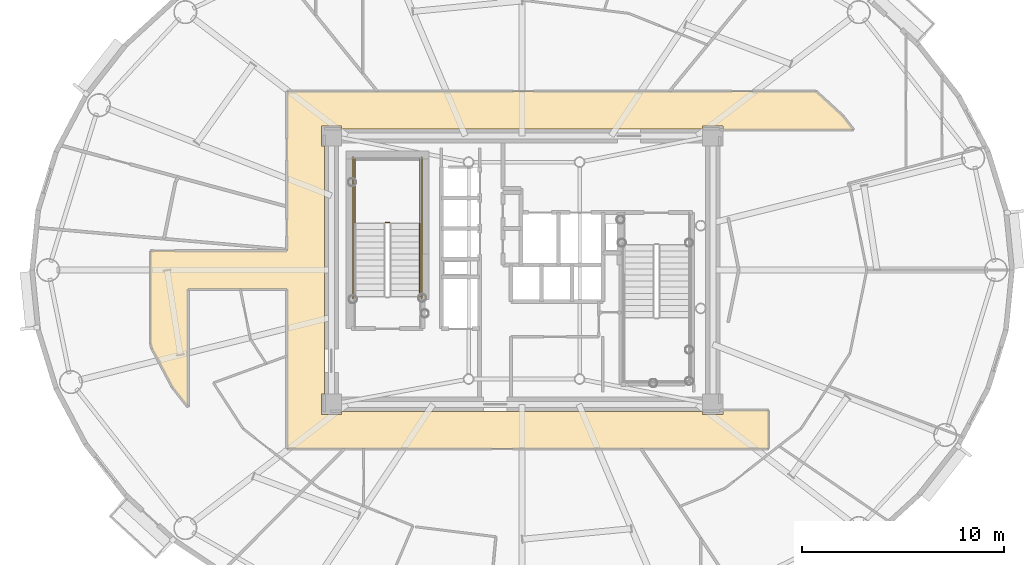
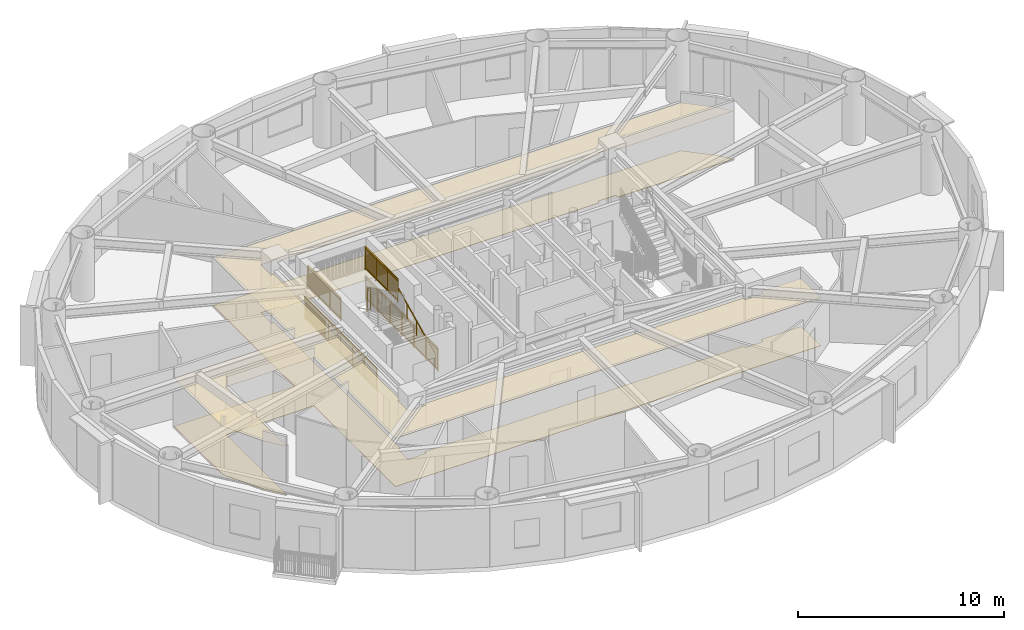
# One storey, part 15 of 19: 6 railings, 2 coverings.
"""IFC4 building model written with IfcOpenShell, lengths in metres."""

from ifc_helpers import new_model, si_unit, direction, frame, origin, origin_2d, place, context, subcontext, project, spatial, polyline, rectangle, outline, extrude, source, transform, mapped, material, layer, layer_set, type_object, element, save


model = new_model("IFC4")

# Units and contexts
model_context = context("Model", 3, precision=1e-05, world=origin(), true_north=direction((0.0, 1.0)))
body_context = subcontext(model_context, "Body", "Model", "MODEL_VIEW")
ifc_project = project(units=[si_unit("LENGTHUNIT", "METRE"), si_unit("AREAUNIT", "SQUARE_METRE"), si_unit("VOLUMEUNIT", "CUBIC_METRE"), si_unit("PLANEANGLEUNIT", "RADIAN"), si_unit("MASSUNIT", "GRAM", prefix="KILO")], contexts=[model_context])

# Site, building, storey
site_placement = place(None, origin())
site = spatial("IfcSite", under=ifc_project, at=site_placement, CompositionType="ELEMENT")
building_placement = place(site_placement, origin())
building = spatial("IfcBuilding", under=site, at=building_placement, Name="Linh Dai School and Residence Tower", CompositionType="ELEMENT")
storey_placement = place(building_placement, frame((0.0, 0.0, 247.800048828125)))
storey = spatial("IfcBuildingStorey", under=building, at=storey_placement, Name="L61", CompositionType="ELEMENT", Elevation=247.800048828125)

# Coverings
ifc_material_1 = material(Name="Mineral Fibre Acoustic Suspended Ceiling", Category="masonry")
ifc_layer_1 = layer(ifc_material_1, 0.02001953125)
ifc_layer_set_1 = layer_set([ifc_layer_1], Name="Mineral Fibre Acoustic Suspended Ceiling")
covering_type_1 = type_object("IfcCoveringType", Name="COV-CEIL-AC-20", PredefinedType="CEILING", material=ifc_layer_set_1)
covering_1_placement = place(storey_placement, frame((0.0, 0.0, 2.849853515625)))
element("IfcCovering", 1, at=covering_1_placement, inside=storey, type_object=covering_type_1, Name="L61 Residential Floor Corridor Suspended Ceiling", PredefinedType="CEILING", context=body_context, shape_type="SweptSolid", body=[
    extrude(outline(polyline([(19.449951171875, 20.211181640625), (18.6806640625, 21.1943359375), (17.66650390625, 23.111083984375), (17.60009765625, 23.327880859375), (17.60009765625, 27.949951171875), (24.35009765625, 27.949951171875), (24.35009765625, 35.85009765625), (50.56787109375, 35.85009765625), (51.873779296875, 34.65283203125), (52.423828125, 33.949951171875), (45.949951171875, 33.949951171875), (45.949951171875, 34.14990234375), (44.949951171875, 34.14990234375), (44.949951171875, 34.0), (27.050048828125, 34.0), (27.050048828125, 34.14990234375), (26.050048828125, 34.14990234375), (26.050048828125, 33.14990234375), (26.199951171875, 33.14990234375), (26.199951171875, 20.85009765625), (26.050048828125, 20.85009765625), (26.050048828125, 19.85009765625), (27.050048828125, 19.85009765625), (27.050048828125, 20.0), (44.949951171875, 20.0), (44.949951171875, 19.85009765625), (45.949951171875, 19.85009765625), (45.949951171875, 20.050048828125), (48.199951171875, 20.050048828125), (48.199951171875, 18.14990234375), (24.35009765625, 18.14990234375), (24.35009765625, 26.050048828125), (19.449951171875, 26.050048828125), (19.449951171875, 20.211181640625)])), origin(), (0.0, 0.0, 1.0), 0.02001953125),
])
ifc_material_2 = material(Name="Polished Terrazzo Floor Finish", Category="masonry")
ifc_layer_2 = layer(ifc_material_2, 0.02490234375)
ifc_layer_set_2 = layer_set([ifc_layer_2], Name="Polished Terrazzo Floor Finish")
covering_type_2 = type_object("IfcCoveringType", Name="COV-FLR-TRZ-25", PredefinedType="FLOORING", material=ifc_layer_set_2)
covering_2_placement = place(storey_placement, origin())
element("IfcCovering", 2, at=covering_2_placement, inside=storey, type_object=covering_type_2, Name="L61 Residential Floor Corridor Floor Finish", PredefinedType="FLOORING", context=body_context, shape_type="SweptSolid", body=[
    extrude(outline(polyline([(19.449951171875, 20.211181640625), (18.6806640625, 21.1943359375), (17.66650390625, 23.111083984375), (17.60009765625, 23.327880859375), (17.60009765625, 27.949951171875), (24.35009765625, 27.949951171875), (24.35009765625, 35.85009765625), (50.56787109375, 35.85009765625), (51.873779296875, 34.65283203125), (52.423828125, 33.949951171875), (45.949951171875, 33.949951171875), (45.949951171875, 34.14990234375), (44.949951171875, 34.14990234375), (44.949951171875, 34.0), (27.050048828125, 34.0), (27.050048828125, 34.14990234375), (26.050048828125, 34.14990234375), (26.050048828125, 33.14990234375), (26.199951171875, 33.14990234375), (26.199951171875, 20.85009765625), (26.050048828125, 20.85009765625), (26.050048828125, 19.85009765625), (27.050048828125, 19.85009765625), (27.050048828125, 20.0), (44.949951171875, 20.0), (44.949951171875, 19.85009765625), (45.949951171875, 19.85009765625), (45.949951171875, 20.050048828125), (48.199951171875, 20.050048828125), (48.199951171875, 18.14990234375), (24.35009765625, 18.14990234375), (24.35009765625, 26.050048828125), (19.449951171875, 26.050048828125), (19.449951171875, 20.211181640625)])), origin(), (0.0, 0.0, 1.0), 0.02001953125),
])

# Railings
ifc_material_3 = material(Name="Structural Steel S355JR", Category="steel")
railing_type_1 = type_object("IfcRailingType", Name="RL-ST-GUARD-1400", PredefinedType="GUARDRAIL", material=ifc_material_3)
shared_shape_1 = source(origin(), body_context, "Body", "SweptSolid", [
    extrude(rectangle(XDim=0.048095703125, YDim=0.048095703125, at=origin_2d()), frame((0.0, 0.0, 1.3759765625), z_axis=(-1.0, 0.0, 0.0), x_axis=(0.0, -1.0, 0.0)), (0.0, 0.0, 1.0), 0.199951171875),
    extrude(rectangle(XDim=0.048095703125, YDim=0.048095703125, at=origin_2d()), frame((0.0, 0.0, 0.10009765625), z_axis=(-1.0, 0.0, 0.0), x_axis=(0.0, -1.0, 0.0)), (0.0, 0.0, 1.0), 0.199951171875),
    extrude(rectangle(XDim=0.030029296875, YDim=0.030029296875, at=origin_2d()), frame((0.0, 0.0, 1.239990234375), z_axis=(-1.0, 0.0, 0.0), x_axis=(0.0, -1.0, 0.0)), (0.0, 0.0, 1.0), 0.199951171875),
    extrude(rectangle(XDim=0.0419921875, YDim=0.0419921875, at=origin_2d()), origin(), (0.0, 0.0, 1.0), 1.3759765625),
    extrude(rectangle(XDim=0.0419921875, YDim=0.0419921875, at=origin_2d()), frame((-0.199951171875, 0.0, 0.0)), (0.0, 0.0, 1.0), 1.3759765625),
])
railing_1_placement = place(storey_placement, frame((29.429931640625, 29.35009765625, 1.875)))
element("IfcRailing", 3, at=railing_1_placement, inside=storey, type_object=railing_type_1, Name="L61 ST1 stair guard 2", PredefinedType="GUARDRAIL", context=body_context, shape_type="MappedRepresentation", body=[
    mapped(shared_shape_1, transform((0.0, 0.0, 0.0), x_axis=(1.0, 0.0, 0.0), y_axis=(0.0, 1.0, 0.0), z_axis=(0.0, 0.0, 1.0), scale=1.0)),
])
shared_shape_2 = source(origin(), body_context, "Body", "SweptSolid", [
    extrude(rectangle(XDim=0.048095703125, YDim=0.048095703125, at=origin_2d()), frame((0.0, 0.0, 1.3759765625), z_axis=(0.0, 1.0, 0.0), x_axis=(-1.0, 0.0, 0.0)), (0.0, 0.0, 1.0), 7.0),
    extrude(rectangle(XDim=0.048095703125, YDim=0.048095703125, at=origin_2d()), frame((0.0, 0.0, 0.10009765625), z_axis=(0.0, 1.0, 0.0), x_axis=(-1.0, 0.0, 0.0)), (0.0, 0.0, 1.0), 7.0),
    extrude(rectangle(XDim=0.030029296875, YDim=0.030029296875, at=origin_2d()), frame((0.0, 0.0, 1.239990234375), z_axis=(0.0, 1.0, 0.0), x_axis=(-1.0, 0.0, 0.0)), (0.0, 0.0, 1.0), 7.0),
    extrude(rectangle(XDim=0.02001953125, YDim=0.02001953125, at=origin_2d()), frame((0.0, 0.09716796875, 0.10009765625)), (0.0, 0.0, 1.0), 1.251708984375),
    extrude(rectangle(XDim=0.02001953125, YDim=0.02001953125, at=origin_2d()), frame((0.0, 0.1943359375, 0.10009765625)), (0.0, 0.0, 1.0), 1.251708984375),
    extrude(rectangle(XDim=0.02001953125, YDim=0.02001953125, at=origin_2d()), frame((0.0, 0.291748046875, 0.10009765625)), (0.0, 0.0, 1.0), 1.251708984375),
    extrude(rectangle(XDim=0.02001953125, YDim=0.02001953125, at=origin_2d()), frame((0.0, 0.388916015625, 0.10009765625)), (0.0, 0.0, 1.0), 1.251708984375),
    extrude(rectangle(XDim=0.02001953125, YDim=0.02001953125, at=origin_2d()), frame((0.0, 0.486083984375, 0.10009765625)), (0.0, 0.0, 1.0), 1.251708984375),
    extrude(rectangle(XDim=0.02001953125, YDim=0.02001953125, at=origin_2d()), frame((0.0, 0.583251953125, 0.10009765625)), (0.0, 0.0, 1.0), 1.251708984375),
    extrude(rectangle(XDim=0.02001953125, YDim=0.02001953125, at=origin_2d()), frame((0.0, 0.6806640625, 0.10009765625)), (0.0, 0.0, 1.0), 1.251708984375),
    extrude(rectangle(XDim=0.02001953125, YDim=0.02001953125, at=origin_2d()), frame((0.0, 0.77783203125, 0.10009765625)), (0.0, 0.0, 1.0), 1.251708984375),
    extrude(rectangle(XDim=0.02001953125, YDim=0.02001953125, at=origin_2d()), frame((0.0, 0.875, 0.10009765625)), (0.0, 0.0, 1.0), 1.251708984375),
    extrude(rectangle(XDim=0.02001953125, YDim=0.02001953125, at=origin_2d()), frame((0.0, 0.97216796875, 0.10009765625)), (0.0, 0.0, 1.0), 1.251708984375),
    extrude(rectangle(XDim=0.02001953125, YDim=0.02001953125, at=origin_2d()), frame((0.0, 1.0693359375, 0.10009765625)), (0.0, 0.0, 1.0), 1.251708984375),
    extrude(rectangle(XDim=0.02001953125, YDim=0.02001953125, at=origin_2d()), frame((0.0, 1.263916015625, 0.10009765625)), (0.0, 0.0, 1.0), 1.251708984375),
    extrude(rectangle(XDim=0.02001953125, YDim=0.02001953125, at=origin_2d()), frame((0.0, 1.361083984375, 0.10009765625)), (0.0, 0.0, 1.0), 1.251708984375),
    extrude(rectangle(XDim=0.02001953125, YDim=0.02001953125, at=origin_2d()), frame((0.0, 1.458251953125, 0.10009765625)), (0.0, 0.0, 1.0), 1.251708984375),
    extrude(rectangle(XDim=0.02001953125, YDim=0.02001953125, at=origin_2d()), frame((0.0, 1.5556640625, 0.10009765625)), (0.0, 0.0, 1.0), 1.251708984375),
    extrude(rectangle(XDim=0.02001953125, YDim=0.02001953125, at=origin_2d()), frame((0.0, 1.65283203125, 0.10009765625)), (0.0, 0.0, 1.0), 1.251708984375),
    extrude(rectangle(XDim=0.02001953125, YDim=0.02001953125, at=origin_2d()), frame((0.0, 1.75, 0.10009765625)), (0.0, 0.0, 1.0), 1.251708984375),
    extrude(rectangle(XDim=0.02001953125, YDim=0.02001953125, at=origin_2d()), frame((0.0, 1.84716796875, 0.10009765625)), (0.0, 0.0, 1.0), 1.251708984375),
    extrude(rectangle(XDim=0.02001953125, YDim=0.02001953125, at=origin_2d()), frame((0.0, 1.9443359375, 0.10009765625)), (0.0, 0.0, 1.0), 1.251708984375),
    extrude(rectangle(XDim=0.02001953125, YDim=0.02001953125, at=origin_2d()), frame((0.0, 2.041748046875, 0.10009765625)), (0.0, 0.0, 1.0), 1.251708984375),
    extrude(rectangle(XDim=0.02001953125, YDim=0.02001953125, at=origin_2d()), frame((0.0, 2.138916015625, 0.10009765625)), (0.0, 0.0, 1.0), 1.251708984375),
    extrude(rectangle(XDim=0.02001953125, YDim=0.02001953125, at=origin_2d()), frame((0.0, 2.236083984375, 0.10009765625)), (0.0, 0.0, 1.0), 1.251708984375),
    extrude(rectangle(XDim=0.02001953125, YDim=0.02001953125, at=origin_2d()), frame((0.0, 2.4306640625, 0.10009765625)), (0.0, 0.0, 1.0), 1.251708984375),
    extrude(rectangle(XDim=0.02001953125, YDim=0.02001953125, at=origin_2d()), frame((0.0, 2.52783203125, 0.10009765625)), (0.0, 0.0, 1.0), 1.251708984375),
    extrude(rectangle(XDim=0.02001953125, YDim=0.02001953125, at=origin_2d()), frame((0.0, 2.625, 0.10009765625)), (0.0, 0.0, 1.0), 1.251708984375),
    extrude(rectangle(XDim=0.02001953125, YDim=0.02001953125, at=origin_2d()), frame((0.0, 2.72216796875, 0.10009765625)), (0.0, 0.0, 1.0), 1.251708984375),
    extrude(rectangle(XDim=0.02001953125, YDim=0.02001953125, at=origin_2d()), frame((0.0, 2.8193359375, 0.10009765625)), (0.0, 0.0, 1.0), 1.251708984375),
    extrude(rectangle(XDim=0.02001953125, YDim=0.02001953125, at=origin_2d()), frame((0.0, 2.916748046875, 0.10009765625)), (0.0, 0.0, 1.0), 1.251708984375),
    extrude(rectangle(XDim=0.02001953125, YDim=0.02001953125, at=origin_2d()), frame((0.0, 3.013916015625, 0.10009765625)), (0.0, 0.0, 1.0), 1.251708984375),
    extrude(rectangle(XDim=0.02001953125, YDim=0.02001953125, at=origin_2d()), frame((0.0, 3.111083984375, 0.10009765625)), (0.0, 0.0, 1.0), 1.251708984375),
    extrude(rectangle(XDim=0.02001953125, YDim=0.02001953125, at=origin_2d()), frame((0.0, 3.208251953125, 0.10009765625)), (0.0, 0.0, 1.0), 1.251708984375),
    extrude(rectangle(XDim=0.02001953125, YDim=0.02001953125, at=origin_2d()), frame((0.0, 3.3056640625, 0.10009765625)), (0.0, 0.0, 1.0), 1.251708984375),
    extrude(rectangle(XDim=0.02001953125, YDim=0.02001953125, at=origin_2d()), frame((0.0, 3.40283203125, 0.10009765625)), (0.0, 0.0, 1.0), 1.251708984375),
    extrude(rectangle(XDim=0.02001953125, YDim=0.02001953125, at=origin_2d()), frame((0.0, 3.59716796875, 0.10009765625)), (0.0, 0.0, 1.0), 1.251708984375),
    extrude(rectangle(XDim=0.02001953125, YDim=0.02001953125, at=origin_2d()), frame((0.0, 3.6943359375, 0.10009765625)), (0.0, 0.0, 1.0), 1.251708984375),
    extrude(rectangle(XDim=0.02001953125, YDim=0.02001953125, at=origin_2d()), frame((0.0, 3.791748046875, 0.10009765625)), (0.0, 0.0, 1.0), 1.251708984375),
    extrude(rectangle(XDim=0.02001953125, YDim=0.02001953125, at=origin_2d()), frame((0.0, 3.888916015625, 0.10009765625)), (0.0, 0.0, 1.0), 1.251708984375),
    extrude(rectangle(XDim=0.02001953125, YDim=0.02001953125, at=origin_2d()), frame((0.0, 3.986083984375, 0.10009765625)), (0.0, 0.0, 1.0), 1.251708984375),
    extrude(rectangle(XDim=0.02001953125, YDim=0.02001953125, at=origin_2d()), frame((0.0, 4.083251953125, 0.10009765625)), (0.0, 0.0, 1.0), 1.251708984375),
    extrude(rectangle(XDim=0.02001953125, YDim=0.02001953125, at=origin_2d()), frame((0.0, 4.1806640625, 0.10009765625)), (0.0, 0.0, 1.0), 1.251708984375),
    extrude(rectangle(XDim=0.02001953125, YDim=0.02001953125, at=origin_2d()), frame((0.0, 4.27783203125, 0.10009765625)), (0.0, 0.0, 1.0), 1.251708984375),
    extrude(rectangle(XDim=0.02001953125, YDim=0.02001953125, at=origin_2d()), frame((0.0, 4.375, 0.10009765625)), (0.0, 0.0, 1.0), 1.251708984375),
    extrude(rectangle(XDim=0.02001953125, YDim=0.02001953125, at=origin_2d()), frame((0.0, 4.47216796875, 0.10009765625)), (0.0, 0.0, 1.0), 1.251708984375),
    extrude(rectangle(XDim=0.02001953125, YDim=0.02001953125, at=origin_2d()), frame((0.0, 4.5693359375, 0.10009765625)), (0.0, 0.0, 1.0), 1.251708984375),
    extrude(rectangle(XDim=0.02001953125, YDim=0.02001953125, at=origin_2d()), frame((0.0, 4.763916015625, 0.10009765625)), (0.0, 0.0, 1.0), 1.251708984375),
    extrude(rectangle(XDim=0.02001953125, YDim=0.02001953125, at=origin_2d()), frame((0.0, 4.861083984375, 0.10009765625)), (0.0, 0.0, 1.0), 1.251708984375),
    extrude(rectangle(XDim=0.02001953125, YDim=0.02001953125, at=origin_2d()), frame((0.0, 4.958251953125, 0.10009765625)), (0.0, 0.0, 1.0), 1.251708984375),
    extrude(rectangle(XDim=0.02001953125, YDim=0.02001953125, at=origin_2d()), frame((0.0, 5.0556640625, 0.10009765625)), (0.0, 0.0, 1.0), 1.251708984375),
    extrude(rectangle(XDim=0.02001953125, YDim=0.02001953125, at=origin_2d()), frame((0.0, 5.15283203125, 0.10009765625)), (0.0, 0.0, 1.0), 1.251708984375),
    extrude(rectangle(XDim=0.02001953125, YDim=0.02001953125, at=origin_2d()), frame((0.0, 5.25, 0.10009765625)), (0.0, 0.0, 1.0), 1.251708984375),
    extrude(rectangle(XDim=0.02001953125, YDim=0.02001953125, at=origin_2d()), frame((0.0, 5.34716796875, 0.10009765625)), (0.0, 0.0, 1.0), 1.251708984375),
    extrude(rectangle(XDim=0.02001953125, YDim=0.02001953125, at=origin_2d()), frame((0.0, 5.4443359375, 0.10009765625)), (0.0, 0.0, 1.0), 1.251708984375),
    extrude(rectangle(XDim=0.02001953125, YDim=0.02001953125, at=origin_2d()), frame((0.0, 5.541748046875, 0.10009765625)), (0.0, 0.0, 1.0), 1.251708984375),
    extrude(rectangle(XDim=0.02001953125, YDim=0.02001953125, at=origin_2d()), frame((0.0, 5.638916015625, 0.10009765625)), (0.0, 0.0, 1.0), 1.251708984375),
    extrude(rectangle(XDim=0.02001953125, YDim=0.02001953125, at=origin_2d()), frame((0.0, 5.736083984375, 0.10009765625)), (0.0, 0.0, 1.0), 1.251708984375),
    extrude(rectangle(XDim=0.02001953125, YDim=0.02001953125, at=origin_2d()), frame((0.0, 5.9306640625, 0.10009765625)), (0.0, 0.0, 1.0), 1.251708984375),
    extrude(rectangle(XDim=0.02001953125, YDim=0.02001953125, at=origin_2d()), frame((0.0, 6.02783203125, 0.10009765625)), (0.0, 0.0, 1.0), 1.251708984375),
    extrude(rectangle(XDim=0.02001953125, YDim=0.02001953125, at=origin_2d()), frame((0.0, 6.125, 0.10009765625)), (0.0, 0.0, 1.0), 1.251708984375),
    extrude(rectangle(XDim=0.02001953125, YDim=0.02001953125, at=origin_2d()), frame((0.0, 6.22216796875, 0.10009765625)), (0.0, 0.0, 1.0), 1.251708984375),
    extrude(rectangle(XDim=0.02001953125, YDim=0.02001953125, at=origin_2d()), frame((0.0, 6.3193359375, 0.10009765625)), (0.0, 0.0, 1.0), 1.251708984375),
    extrude(rectangle(XDim=0.02001953125, YDim=0.02001953125, at=origin_2d()), frame((0.0, 6.416748046875, 0.10009765625)), (0.0, 0.0, 1.0), 1.251708984375),
    extrude(rectangle(XDim=0.02001953125, YDim=0.02001953125, at=origin_2d()), frame((0.0, 6.513916015625, 0.10009765625)), (0.0, 0.0, 1.0), 1.251708984375),
    extrude(rectangle(XDim=0.02001953125, YDim=0.02001953125, at=origin_2d()), frame((0.0, 6.611083984375, 0.10009765625)), (0.0, 0.0, 1.0), 1.251708984375),
    extrude(rectangle(XDim=0.02001953125, YDim=0.02001953125, at=origin_2d()), frame((0.0, 6.708251953125, 0.10009765625)), (0.0, 0.0, 1.0), 1.251708984375),
    extrude(rectangle(XDim=0.02001953125, YDim=0.02001953125, at=origin_2d()), frame((0.0, 6.8056640625, 0.10009765625)), (0.0, 0.0, 1.0), 1.251708984375),
    extrude(rectangle(XDim=0.02001953125, YDim=0.02001953125, at=origin_2d()), frame((0.0, 6.90283203125, 0.10009765625)), (0.0, 0.0, 1.0), 1.251708984375),
    extrude(rectangle(XDim=0.0419921875, YDim=0.0419921875, at=origin_2d()), origin(), (0.0, 0.0, 1.0), 1.3759765625),
    extrude(rectangle(XDim=0.0419921875, YDim=0.0419921875, at=origin_2d()), frame((0.0, 1.166748046875, 0.0)), (0.0, 0.0, 1.0), 1.3759765625),
    extrude(rectangle(XDim=0.0419921875, YDim=0.0419921875, at=origin_2d()), frame((0.0, 2.333251953125, 0.0)), (0.0, 0.0, 1.0), 1.3759765625),
    extrude(rectangle(XDim=0.0419921875, YDim=0.0419921875, at=origin_2d()), frame((0.0, 3.5, 0.0)), (0.0, 0.0, 1.0), 1.3759765625),
    extrude(rectangle(XDim=0.0419921875, YDim=0.0419921875, at=origin_2d()), frame((0.0, 4.666748046875, 0.0)), (0.0, 0.0, 1.0), 1.3759765625),
    extrude(rectangle(XDim=0.0419921875, YDim=0.0419921875, at=origin_2d()), frame((0.0, 5.833251953125, 0.0)), (0.0, 0.0, 1.0), 1.3759765625),
    extrude(rectangle(XDim=0.0419921875, YDim=0.0419921875, at=origin_2d()), frame((0.0, 7.0, 0.0)), (0.0, 0.0, 1.0), 1.3759765625),
])
for number, where, name in (
    (4, (31.030029296875, 25.60009765625, 0.0), "L61 ST1 stair guard 10"),
    (5, (27.6298828125, 25.60009765625, 0.0), "L61 ST1 stair guard 11"),
):
    element("IfcRailing", number, at=place(storey_placement, frame(where)), inside=storey, type_object=railing_type_1, Name=name, PredefinedType="GUARDRAIL", context=body_context, shape_type="MappedRepresentation", body=[
        mapped(shared_shape_2, transform((0.0, 0.0, 0.0), x_axis=(1.0, 0.0, 0.0), y_axis=(0.0, 1.0, 0.0), z_axis=(0.0, 0.0, 1.0), scale=1.0)),
    ])
shared_shape_3 = source(origin(), body_context, "Body", "SweptSolid", [
    extrude(rectangle(XDim=0.048095703125, YDim=0.048095703125, at=origin_2d()), frame((0.0, 0.0, 1.3759765625), z_axis=(0.0, 1.0, 0.0), x_axis=(-1.0, 0.0, 0.0)), (0.0, 0.0, 1.0), 3.199951171875),
    extrude(rectangle(XDim=0.048095703125, YDim=0.048095703125, at=origin_2d()), frame((0.0, 0.0, 0.10009765625), z_axis=(0.0, 1.0, 0.0), x_axis=(-1.0, 0.0, 0.0)), (0.0, 0.0, 1.0), 3.199951171875),
    extrude(rectangle(XDim=0.030029296875, YDim=0.030029296875, at=origin_2d()), frame((0.0, 0.0, 1.239990234375), z_axis=(0.0, 1.0, 0.0), x_axis=(-1.0, 0.0, 0.0)), (0.0, 0.0, 1.0), 3.199951171875),
    extrude(rectangle(XDim=0.02001953125, YDim=0.02001953125, at=origin_2d()), frame((0.0, 0.096923828125, 0.10009765625)), (0.0, 0.0, 1.0), 1.251708984375),
    extrude(rectangle(XDim=0.02001953125, YDim=0.02001953125, at=origin_2d()), frame((0.0, 0.19384765625, 0.10009765625)), (0.0, 0.0, 1.0), 1.251708984375),
    extrude(rectangle(XDim=0.02001953125, YDim=0.02001953125, at=origin_2d()), frame((0.0, 0.291015625, 0.10009765625)), (0.0, 0.0, 1.0), 1.251708984375),
    extrude(rectangle(XDim=0.02001953125, YDim=0.02001953125, at=origin_2d()), frame((0.0, 0.387939453125, 0.10009765625)), (0.0, 0.0, 1.0), 1.251708984375),
    extrude(rectangle(XDim=0.02001953125, YDim=0.02001953125, at=origin_2d()), frame((0.0, 0.48486328125, 0.10009765625)), (0.0, 0.0, 1.0), 1.251708984375),
    extrude(rectangle(XDim=0.02001953125, YDim=0.02001953125, at=origin_2d()), frame((0.0, 0.581787109375, 0.10009765625)), (0.0, 0.0, 1.0), 1.251708984375),
    extrude(rectangle(XDim=0.02001953125, YDim=0.02001953125, at=origin_2d()), frame((0.0, 0.6787109375, 0.10009765625)), (0.0, 0.0, 1.0), 1.251708984375),
    extrude(rectangle(XDim=0.02001953125, YDim=0.02001953125, at=origin_2d()), frame((0.0, 0.775634765625, 0.10009765625)), (0.0, 0.0, 1.0), 1.251708984375),
    extrude(rectangle(XDim=0.02001953125, YDim=0.02001953125, at=origin_2d()), frame((0.0, 0.872802734375, 0.10009765625)), (0.0, 0.0, 1.0), 1.251708984375),
    extrude(rectangle(XDim=0.02001953125, YDim=0.02001953125, at=origin_2d()), frame((0.0, 0.9697265625, 0.10009765625)), (0.0, 0.0, 1.0), 1.251708984375),
    extrude(rectangle(XDim=0.02001953125, YDim=0.02001953125, at=origin_2d()), frame((0.0, 1.16357421875, 0.10009765625)), (0.0, 0.0, 1.0), 1.251708984375),
    extrude(rectangle(XDim=0.02001953125, YDim=0.02001953125, at=origin_2d()), frame((0.0, 1.260498046875, 0.10009765625)), (0.0, 0.0, 1.0), 1.251708984375),
    extrude(rectangle(XDim=0.02001953125, YDim=0.02001953125, at=origin_2d()), frame((0.0, 1.357666015625, 0.10009765625)), (0.0, 0.0, 1.0), 1.251708984375),
    extrude(rectangle(XDim=0.02001953125, YDim=0.02001953125, at=origin_2d()), frame((0.0, 1.45458984375, 0.10009765625)), (0.0, 0.0, 1.0), 1.251708984375),
    extrude(rectangle(XDim=0.02001953125, YDim=0.02001953125, at=origin_2d()), frame((0.0, 1.551513671875, 0.10009765625)), (0.0, 0.0, 1.0), 1.251708984375),
    extrude(rectangle(XDim=0.02001953125, YDim=0.02001953125, at=origin_2d()), frame((0.0, 1.6484375, 0.10009765625)), (0.0, 0.0, 1.0), 1.251708984375),
    extrude(rectangle(XDim=0.02001953125, YDim=0.02001953125, at=origin_2d()), frame((0.0, 1.745361328125, 0.10009765625)), (0.0, 0.0, 1.0), 1.251708984375),
    extrude(rectangle(XDim=0.02001953125, YDim=0.02001953125, at=origin_2d()), frame((0.0, 1.84228515625, 0.10009765625)), (0.0, 0.0, 1.0), 1.251708984375),
    extrude(rectangle(XDim=0.02001953125, YDim=0.02001953125, at=origin_2d()), frame((0.0, 1.939453125, 0.10009765625)), (0.0, 0.0, 1.0), 1.251708984375),
    extrude(rectangle(XDim=0.02001953125, YDim=0.02001953125, at=origin_2d()), frame((0.0, 2.036376953125, 0.10009765625)), (0.0, 0.0, 1.0), 1.251708984375),
    extrude(rectangle(XDim=0.02001953125, YDim=0.02001953125, at=origin_2d()), frame((0.0, 2.230224609375, 0.10009765625)), (0.0, 0.0, 1.0), 1.251708984375),
    extrude(rectangle(XDim=0.02001953125, YDim=0.02001953125, at=origin_2d()), frame((0.0, 2.3271484375, 0.10009765625)), (0.0, 0.0, 1.0), 1.251708984375),
    extrude(rectangle(XDim=0.02001953125, YDim=0.02001953125, at=origin_2d()), frame((0.0, 2.42431640625, 0.10009765625)), (0.0, 0.0, 1.0), 1.251708984375),
    extrude(rectangle(XDim=0.02001953125, YDim=0.02001953125, at=origin_2d()), frame((0.0, 2.521240234375, 0.10009765625)), (0.0, 0.0, 1.0), 1.251708984375),
    extrude(rectangle(XDim=0.02001953125, YDim=0.02001953125, at=origin_2d()), frame((0.0, 2.6181640625, 0.10009765625)), (0.0, 0.0, 1.0), 1.251708984375),
    extrude(rectangle(XDim=0.02001953125, YDim=0.02001953125, at=origin_2d()), frame((0.0, 2.715087890625, 0.10009765625)), (0.0, 0.0, 1.0), 1.251708984375),
    extrude(rectangle(XDim=0.02001953125, YDim=0.02001953125, at=origin_2d()), frame((0.0, 2.81201171875, 0.10009765625)), (0.0, 0.0, 1.0), 1.251708984375),
    extrude(rectangle(XDim=0.02001953125, YDim=0.02001953125, at=origin_2d()), frame((0.0, 2.908935546875, 0.10009765625)), (0.0, 0.0, 1.0), 1.251708984375),
    extrude(rectangle(XDim=0.02001953125, YDim=0.02001953125, at=origin_2d()), frame((0.0, 3.006103515625, 0.10009765625)), (0.0, 0.0, 1.0), 1.251708984375),
    extrude(rectangle(XDim=0.02001953125, YDim=0.02001953125, at=origin_2d()), frame((0.0, 3.10302734375, 0.10009765625)), (0.0, 0.0, 1.0), 1.251708984375),
    extrude(rectangle(XDim=0.0419921875, YDim=0.0419921875, at=origin_2d()), origin(), (0.0, 0.0, 1.0), 1.3759765625),
    extrude(rectangle(XDim=0.0419921875, YDim=0.0419921875, at=origin_2d()), frame((0.0, 1.066650390625, 0.0)), (0.0, 0.0, 1.0), 1.3759765625),
    extrude(rectangle(XDim=0.0419921875, YDim=0.0419921875, at=origin_2d()), frame((0.0, 2.13330078125, 0.0)), (0.0, 0.0, 1.0), 1.3759765625),
    extrude(rectangle(XDim=0.0419921875, YDim=0.0419921875, at=origin_2d()), frame((0.0, 3.199951171875, 0.0)), (0.0, 0.0, 1.0), 1.3759765625),
])
for number, where, name in (
    (6, (30.929931640625, 29.300048828125, 1.875), "L61 ST1 stair guard 3"),
    (7, (27.72998046875, 29.300048828125, 1.875), "L61 ST1 stair guard 4"),
):
    element("IfcRailing", number, at=place(storey_placement, frame(where)), inside=storey, type_object=railing_type_1, Name=name, PredefinedType="GUARDRAIL", context=body_context, shape_type="MappedRepresentation", body=[
        mapped(shared_shape_3, transform((0.0, 0.0, 0.0), x_axis=(1.0, 0.0, 0.0), y_axis=(0.0, 1.0, 0.0), z_axis=(0.0, 0.0, 1.0), scale=1.0)),
    ])
ifc_material_4 = material(Name="Brushed Stainless Steel Handrail", Category="steel")
railing_type_2 = type_object("IfcRailingType", Name="RL-ST-HANDRAIL-900", PredefinedType="HANDRAIL", material=ifc_material_4)
shared_shape_4 = source(origin(), body_context, "Body", "SweptSolid", [
    extrude(rectangle(XDim=0.048095703125, YDim=0.048095703125, at=origin_2d()), frame((0.0, 0.0, 0.8759765625), z_axis=(0.0, 0.901262522062, 0.433273431364), x_axis=(-1.0, 0.0, 0.0)), (0.0, 0.0, 1.0), 3.994384765625),
    extrude(rectangle(XDim=0.0419921875, YDim=0.0419921875, at=origin_2d()), origin(), (0.0, 0.0, 1.0), 0.8759765625),
    extrude(rectangle(XDim=0.0419921875, YDim=0.0419921875, at=origin_2d()), frame((0.0, 0.89990234375, 0.4326171875)), (0.0, 0.0, 1.0), 0.8759765625),
    extrude(rectangle(XDim=0.0419921875, YDim=0.0419921875, at=origin_2d()), frame((0.0, 1.800048828125, 0.865234375)), (0.0, 0.0, 1.0), 0.8759765625),
    extrude(rectangle(XDim=0.0419921875, YDim=0.0419921875, at=origin_2d()), frame((0.0, 2.7001953125, 1.298095703125)), (0.0, 0.0, 1.0), 0.8759765625),
    extrude(rectangle(XDim=0.0419921875, YDim=0.0419921875, at=origin_2d()), frame((0.0, 3.60009765625, 1.730712890625)), (0.0, 0.0, 1.0), 0.8759765625),
])
railing_2_placement = place(storey_placement, frame((30.929931640625, 25.699951171875, 0.144287109375)))
element("IfcRailing", 8, at=railing_2_placement, inside=storey, type_object=railing_type_2, Name="L61 ST1 stair handrail 1", PredefinedType="HANDRAIL", context=body_context, shape_type="MappedRepresentation", body=[
    mapped(shared_shape_4, transform((0.0, 0.0, 0.0), x_axis=(1.0, 0.0, 0.0), y_axis=(0.0, 1.0, 0.0), z_axis=(0.0, 0.0, 1.0), scale=1.0)),
])

save(model, "model.ifc")
